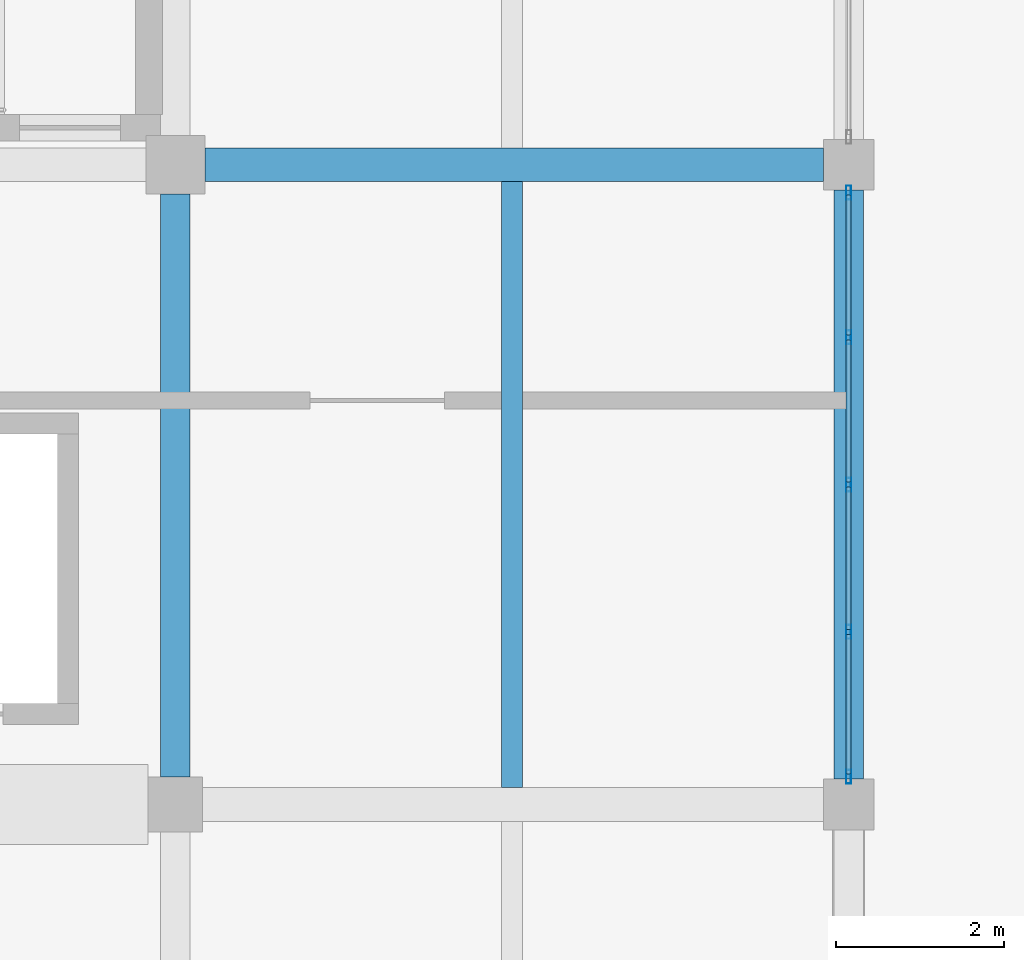
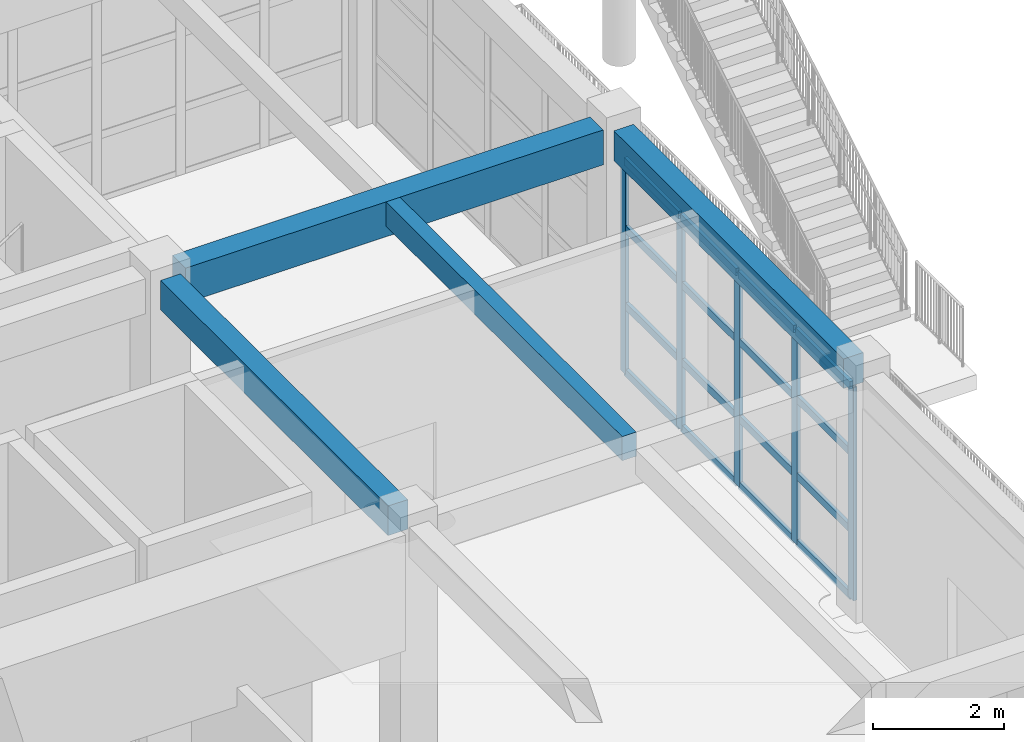
# One storey, part 25 of 50: 21 members, 4 beams, 1 element without a shape of its own.
"""IFC4 building model written with IfcOpenShell, lengths in metres."""

from ifc_helpers import new_model, si_unit, direction, frame, origin, origin_2d, place, context, subcontext, project, spatial, rectangle, hollow_rectangle, extrude, material, material_profile, profile_set, type_object, element, aggregate, save


model = new_model("IFC4")

# Units and contexts
model_context = context("Model", 3, precision=1e-05, world=origin(), true_north=direction((0.0, 1.0)))
body_context = subcontext(model_context, "Body", "Model", "MODEL_VIEW")
ifc_project = project(units=[si_unit("LENGTHUNIT", "METRE"), si_unit("AREAUNIT", "SQUARE_METRE"), si_unit("VOLUMEUNIT", "CUBIC_METRE"), si_unit("PLANEANGLEUNIT", "RADIAN"), si_unit("MASSUNIT", "GRAM", prefix="KILO")], contexts=[model_context])

# Site, building, storey
site_placement = place(None, origin())
site = spatial("IfcSite", under=ifc_project, at=site_placement, CompositionType="ELEMENT")
building_placement = place(site_placement, origin())
building = spatial("IfcBuilding", under=site, at=building_placement, Name="Zantavel Square City Hall", CompositionType="ELEMENT")
storey_placement = place(building_placement, frame((0.0, 0.0, 18.89990234375)))
storey = spatial("IfcBuildingStorey", under=building, at=storey_placement, Name="L05", CompositionType="ELEMENT", Elevation=18.89990234375)

# Curtain wall, members
ifc_material_1 = material(Name="Anodised aluminium 6063-T6", Category="aluminium")
curtain_wall_type = type_object("IfcCurtainWallType", Name="Curtain Wall TRV1 7000x3970", PredefinedType="USERDEFINED", material=ifc_material_1)
curtain_wall_placement = place(storey_placement, origin())
curtain_wall = element("IfcCurtainWall", 1, at=curtain_wall_placement, inside=storey, type_object=curtain_wall_type, Name="L05 Glazed Curtain Wall CW-L05-130", ObjectType="GLAZED CURTAIN WALL", PredefinedType="USERDEFINED")
ifc_material_profile_1 = material_profile(ifc_material_1, hollow_rectangle(XDim=0.06005859375, YDim=0.1650390625, WallThickness=0.00390625, at=origin_2d()), Name="ALU 60x165x4")
ifc_profile_set_1 = profile_set([ifc_material_profile_1], Name="Anodised aluminium 6063-T6")
member_type_1 = type_object("IfcMemberType", Name="CW Council Gallery Mullion ALU 60x165x4", PredefinedType="MULLION", material=ifc_profile_set_1)
member_1_placement = place(storey_placement, frame((112.0, 60.469970703125, 0.0), z_axis=(0.0, 0.0, 1.0), x_axis=(1.0, 0.0, 0.0)))
member_1 = element("IfcMember", 2, at=member_1_placement, type_object=member_type_1, Name="CW-130 mullion 1", PredefinedType="MULLION", context=body_context, shape_type="SweptSolid", body=[
    extrude(hollow_rectangle(XDim=0.06005859375, YDim=0.1650390625, WallThickness=0.00390625, at=origin_2d()), origin(), (0.0, 0.0, 1.0), 3.97021484375),
])
member_2_placement = place(storey_placement, frame((112.0, 58.75, 0.0), z_axis=(0.0, 0.0, 1.0), x_axis=(1.0, 0.0, 0.0)))
member_2 = element("IfcMember", 3, at=member_2_placement, type_object=member_type_1, Name="CW-130 mullion 2", PredefinedType="MULLION", context=body_context, shape_type="SweptSolid", body=[
    extrude(hollow_rectangle(XDim=0.06005859375, YDim=0.1650390625, WallThickness=0.00390625, at=origin_2d()), origin(), (0.0, 0.0, 1.0), 3.97021484375),
])
member_3_placement = place(storey_placement, frame((112.0, 57.0, 0.0), z_axis=(0.0, 0.0, 1.0), x_axis=(1.0, 0.0, 0.0)))
member_3 = element("IfcMember", 4, at=member_3_placement, type_object=member_type_1, Name="CW-130 mullion 3", PredefinedType="MULLION", context=body_context, shape_type="SweptSolid", body=[
    extrude(hollow_rectangle(XDim=0.06005859375, YDim=0.1650390625, WallThickness=0.00390625, at=origin_2d()), origin(), (0.0, 0.0, 1.0), 3.97021484375),
])
member_4_placement = place(storey_placement, frame((112.0, 55.25, 0.0), z_axis=(0.0, 0.0, 1.0), x_axis=(1.0, 0.0, 0.0)))
member_4 = element("IfcMember", 5, at=member_4_placement, type_object=member_type_1, Name="CW-130 mullion 4", PredefinedType="MULLION", context=body_context, shape_type="SweptSolid", body=[
    extrude(hollow_rectangle(XDim=0.06005859375, YDim=0.1650390625, WallThickness=0.00390625, at=origin_2d()), origin(), (0.0, 0.0, 1.0), 3.97021484375),
])
member_5_placement = place(storey_placement, frame((112.0, 53.530029296875, 0.0), z_axis=(0.0, 0.0, 1.0), x_axis=(1.0, 0.0, 0.0)))
member_5 = element("IfcMember", 6, at=member_5_placement, type_object=member_type_1, Name="CW-130 mullion 5", PredefinedType="MULLION", context=body_context, shape_type="SweptSolid", body=[
    extrude(hollow_rectangle(XDim=0.06005859375, YDim=0.1650390625, WallThickness=0.00390625, at=origin_2d()), origin(), (0.0, 0.0, 1.0), 3.97021484375),
])
ifc_material_profile_2 = material_profile(ifc_material_1, hollow_rectangle(XDim=0.06005859375, YDim=0.139892578125, WallThickness=0.00390625, at=origin_2d()), Name="ALU 60x140x4")
ifc_profile_set_2 = profile_set([ifc_material_profile_2], Name="Anodised aluminium 6063-T6")
member_type_2 = type_object("IfcMemberType", Name="CW Transom ALU 60x140x4", PredefinedType="USERDEFINED", material=ifc_profile_set_2)
member_6_placement = place(storey_placement, frame((112.0, 60.43994140625, 0.030029296875), z_axis=(0.0, -1.0, 0.0), x_axis=(1.0, 0.0, 0.0)))
member_6 = element("IfcMember", 7, at=member_6_placement, type_object=member_type_2, Name="CW-130 transom 1.1", ObjectType="TRANSOM", PredefinedType="USERDEFINED", context=body_context, shape_type="SweptSolid", body=[
    extrude(hollow_rectangle(XDim=0.06005859375, YDim=0.139892578125, WallThickness=0.00390625, at=origin_2d()), origin(), (0.0, 0.0, 1.0), 1.659912109375),
])
member_7_placement = place(storey_placement, frame((112.0, 60.43994140625, 1.27001953125), z_axis=(0.0, -1.0, 0.0), x_axis=(1.0, 0.0, 0.0)))
member_7 = element("IfcMember", 8, at=member_7_placement, type_object=member_type_2, Name="CW-130 transom 1.2", ObjectType="TRANSOM", PredefinedType="USERDEFINED", context=body_context, shape_type="SweptSolid", body=[
    extrude(hollow_rectangle(XDim=0.06005859375, YDim=0.139892578125, WallThickness=0.00390625, at=origin_2d()), origin(), (0.0, 0.0, 1.0), 1.659912109375),
])
member_8_placement = place(storey_placement, frame((112.0, 60.43994140625, 2.7001953125), z_axis=(0.0, -1.0, 0.0), x_axis=(1.0, 0.0, 0.0)))
member_8 = element("IfcMember", 9, at=member_8_placement, type_object=member_type_2, Name="CW-130 transom 1.3", ObjectType="TRANSOM", PredefinedType="USERDEFINED", context=body_context, shape_type="SweptSolid", body=[
    extrude(hollow_rectangle(XDim=0.06005859375, YDim=0.139892578125, WallThickness=0.00390625, at=origin_2d()), origin(), (0.0, 0.0, 1.0), 1.659912109375),
])
member_9_placement = place(storey_placement, frame((112.0, 60.43994140625, 3.940185546875), z_axis=(0.0, -1.0, 0.0), x_axis=(1.0, 0.0, 0.0)))
member_9 = element("IfcMember", 10, at=member_9_placement, type_object=member_type_2, Name="CW-130 transom 1.4", ObjectType="TRANSOM", PredefinedType="USERDEFINED", context=body_context, shape_type="SweptSolid", body=[
    extrude(hollow_rectangle(XDim=0.06005859375, YDim=0.139892578125, WallThickness=0.00390625, at=origin_2d()), origin(), (0.0, 0.0, 1.0), 1.659912109375),
])
member_10_placement = place(storey_placement, frame((112.0, 58.719970703125, 0.030029296875), z_axis=(0.0, -1.0, 0.0), x_axis=(1.0, 0.0, 0.0)))
member_10 = element("IfcMember", 11, at=member_10_placement, type_object=member_type_2, Name="CW-130 transom 2.1", ObjectType="TRANSOM", PredefinedType="USERDEFINED", context=body_context, shape_type="SweptSolid", body=[
    extrude(hollow_rectangle(XDim=0.06005859375, YDim=0.139892578125, WallThickness=0.00390625, at=origin_2d()), origin(), (0.0, 0.0, 1.0), 1.68994140625),
])
member_11_placement = place(storey_placement, frame((112.0, 58.719970703125, 1.27001953125), z_axis=(0.0, -1.0, 0.0), x_axis=(1.0, 0.0, 0.0)))
member_11 = element("IfcMember", 12, at=member_11_placement, type_object=member_type_2, Name="CW-130 transom 2.2", ObjectType="TRANSOM", PredefinedType="USERDEFINED", context=body_context, shape_type="SweptSolid", body=[
    extrude(hollow_rectangle(XDim=0.06005859375, YDim=0.139892578125, WallThickness=0.00390625, at=origin_2d()), origin(), (0.0, 0.0, 1.0), 1.68994140625),
])
member_12_placement = place(storey_placement, frame((112.0, 58.719970703125, 2.7001953125), z_axis=(0.0, -1.0, 0.0), x_axis=(1.0, 0.0, 0.0)))
member_12 = element("IfcMember", 13, at=member_12_placement, type_object=member_type_2, Name="CW-130 transom 2.3", ObjectType="TRANSOM", PredefinedType="USERDEFINED", context=body_context, shape_type="SweptSolid", body=[
    extrude(hollow_rectangle(XDim=0.06005859375, YDim=0.139892578125, WallThickness=0.00390625, at=origin_2d()), origin(), (0.0, 0.0, 1.0), 1.68994140625),
])
member_13_placement = place(storey_placement, frame((112.0, 58.719970703125, 3.940185546875), z_axis=(0.0, -1.0, 0.0), x_axis=(1.0, 0.0, 0.0)))
member_13 = element("IfcMember", 14, at=member_13_placement, type_object=member_type_2, Name="CW-130 transom 2.4", ObjectType="TRANSOM", PredefinedType="USERDEFINED", context=body_context, shape_type="SweptSolid", body=[
    extrude(hollow_rectangle(XDim=0.06005859375, YDim=0.139892578125, WallThickness=0.00390625, at=origin_2d()), origin(), (0.0, 0.0, 1.0), 1.68994140625),
])
member_14_placement = place(storey_placement, frame((112.0, 56.969970703125, 0.030029296875), z_axis=(0.0, -1.0, 0.0), x_axis=(1.0, 0.0, 0.0)))
member_14 = element("IfcMember", 15, at=member_14_placement, type_object=member_type_2, Name="CW-130 transom 3.1", ObjectType="TRANSOM", PredefinedType="USERDEFINED", context=body_context, shape_type="SweptSolid", body=[
    extrude(hollow_rectangle(XDim=0.06005859375, YDim=0.139892578125, WallThickness=0.00390625, at=origin_2d()), origin(), (0.0, 0.0, 1.0), 1.68994140625),
])
member_15_placement = place(storey_placement, frame((112.0, 56.969970703125, 1.27001953125), z_axis=(0.0, -1.0, 0.0), x_axis=(1.0, 0.0, 0.0)))
member_15 = element("IfcMember", 16, at=member_15_placement, type_object=member_type_2, Name="CW-130 transom 3.2", ObjectType="TRANSOM", PredefinedType="USERDEFINED", context=body_context, shape_type="SweptSolid", body=[
    extrude(hollow_rectangle(XDim=0.06005859375, YDim=0.139892578125, WallThickness=0.00390625, at=origin_2d()), origin(), (0.0, 0.0, 1.0), 1.68994140625),
])
member_16_placement = place(storey_placement, frame((112.0, 56.969970703125, 2.7001953125), z_axis=(0.0, -1.0, 0.0), x_axis=(1.0, 0.0, 0.0)))
member_16 = element("IfcMember", 17, at=member_16_placement, type_object=member_type_2, Name="CW-130 transom 3.3", ObjectType="TRANSOM", PredefinedType="USERDEFINED", context=body_context, shape_type="SweptSolid", body=[
    extrude(hollow_rectangle(XDim=0.06005859375, YDim=0.139892578125, WallThickness=0.00390625, at=origin_2d()), origin(), (0.0, 0.0, 1.0), 1.68994140625),
])
member_17_placement = place(storey_placement, frame((112.0, 56.969970703125, 3.940185546875), z_axis=(0.0, -1.0, 0.0), x_axis=(1.0, 0.0, 0.0)))
member_17 = element("IfcMember", 18, at=member_17_placement, type_object=member_type_2, Name="CW-130 transom 3.4", ObjectType="TRANSOM", PredefinedType="USERDEFINED", context=body_context, shape_type="SweptSolid", body=[
    extrude(hollow_rectangle(XDim=0.06005859375, YDim=0.139892578125, WallThickness=0.00390625, at=origin_2d()), origin(), (0.0, 0.0, 1.0), 1.68994140625),
])
member_18_placement = place(storey_placement, frame((112.0, 55.219970703125, 0.030029296875), z_axis=(0.0, -1.0, 0.0), x_axis=(1.0, 0.0, 0.0)))
member_18 = element("IfcMember", 19, at=member_18_placement, type_object=member_type_2, Name="CW-130 transom 4.1", ObjectType="TRANSOM", PredefinedType="USERDEFINED", context=body_context, shape_type="SweptSolid", body=[
    extrude(hollow_rectangle(XDim=0.06005859375, YDim=0.139892578125, WallThickness=0.00390625, at=origin_2d()), origin(), (0.0, 0.0, 1.0), 1.659912109375),
])
member_19_placement = place(storey_placement, frame((112.0, 55.219970703125, 1.27001953125), z_axis=(0.0, -1.0, 0.0), x_axis=(1.0, 0.0, 0.0)))
member_19 = element("IfcMember", 20, at=member_19_placement, type_object=member_type_2, Name="CW-130 transom 4.2", ObjectType="TRANSOM", PredefinedType="USERDEFINED", context=body_context, shape_type="SweptSolid", body=[
    extrude(hollow_rectangle(XDim=0.06005859375, YDim=0.139892578125, WallThickness=0.00390625, at=origin_2d()), origin(), (0.0, 0.0, 1.0), 1.659912109375),
])
member_20_placement = place(storey_placement, frame((112.0, 55.219970703125, 2.7001953125), z_axis=(0.0, -1.0, 0.0), x_axis=(1.0, 0.0, 0.0)))
member_20 = element("IfcMember", 21, at=member_20_placement, type_object=member_type_2, Name="CW-130 transom 4.3", ObjectType="TRANSOM", PredefinedType="USERDEFINED", context=body_context, shape_type="SweptSolid", body=[
    extrude(hollow_rectangle(XDim=0.06005859375, YDim=0.139892578125, WallThickness=0.00390625, at=origin_2d()), origin(), (0.0, 0.0, 1.0), 1.659912109375),
])
member_21_placement = place(storey_placement, frame((112.0, 55.219970703125, 3.940185546875), z_axis=(0.0, -1.0, 0.0), x_axis=(1.0, 0.0, 0.0)))
member_21 = element("IfcMember", 22, at=member_21_placement, type_object=member_type_2, Name="CW-130 transom 4.4", ObjectType="TRANSOM", PredefinedType="USERDEFINED", context=body_context, shape_type="SweptSolid", body=[
    extrude(hollow_rectangle(XDim=0.06005859375, YDim=0.139892578125, WallThickness=0.00390625, at=origin_2d()), origin(), (0.0, 0.0, 1.0), 1.659912109375),
])
aggregate(curtain_wall, [member_1, member_2, member_3, member_4, member_5, member_6, member_7, member_8, member_9, member_10, member_11, member_12, member_13, member_14, member_15, member_16, member_17, member_18, member_19, member_20, member_21])

# Beams
ifc_material_2 = material(Name="Concrete C35/45", Category="concrete")
ifc_material_profile_3 = material_profile(ifc_material_2, rectangle(XDim=0.39990234375, YDim=0.64990234375, at=origin_2d()), Name="RC 400x650")
ifc_profile_set_3 = profile_set([ifc_material_profile_3], Name="Concrete C35/45")
beam_type_1 = type_object("IfcBeamType", Name="Frame Beam RC 400x650 C35/45", PredefinedType="BEAM", material=ifc_profile_set_3)
beam_1_placement = place(storey_placement, frame((104.35009765625, 60.800048828125, 4.195068359375), z_axis=(1.0, 0.0, 0.0), x_axis=(0.0, 1.0, 0.0)))
element("IfcBeam", 23, at=beam_1_placement, inside=storey, type_object=beam_type_1, Name="L05 Girder BMX-L05-1040-0608", PredefinedType="BEAM", context=body_context, shape_type="SweptSolid", body=[
    extrude(rectangle(XDim=0.39990234375, YDim=0.64990234375, at=origin_2d()), origin(), (0.0, 0.0, 1.0), 7.349853515625),
])
ifc_material_profile_4 = material_profile(ifc_material_2, rectangle(XDim=0.25, YDim=0.449951171875, at=origin_2d()), Name="RC 250x450")
ifc_profile_set_4 = profile_set([ifc_material_profile_4], Name="Concrete C35/45")
beam_type_2 = type_object("IfcBeamType", Name="Light Floor Joist RC 250x450 C35/45", PredefinedType="JOIST", material=ifc_profile_set_4)
beam_2_placement = place(storey_placement, frame((108.0, 53.39990234375, 4.295166015625), z_axis=(0.0, 1.0, 0.0), x_axis=(-1.0, 0.0, 0.0)))
element("IfcBeam", 24, at=beam_2_placement, inside=storey, type_object=beam_type_2, Name="L05 Floor Joist JST-L05-1080-0532", PredefinedType="JOIST", context=body_context, shape_type="SweptSolid", body=[
    extrude(rectangle(XDim=0.25, YDim=0.449951171875, at=origin_2d()), origin(), (0.0, 0.0, 1.0), 7.2001953125),
])
ifc_material_profile_5 = material_profile(ifc_material_2, rectangle(XDim=0.35009765625, YDim=0.550048828125, at=origin_2d()), Name="RC 350x550")
ifc_profile_set_5 = profile_set([ifc_material_profile_5], Name="Concrete C35/45")
beam_type_3 = type_object("IfcBeamType", Name="Secondary Beam RC 350x550 C35/45", PredefinedType="BEAM", material=ifc_profile_set_5)
beam_3_placement = place(storey_placement, frame((104.0, 53.52490234375, 4.295166015625), z_axis=(0.0, 1.0, 0.0), x_axis=(-1.0, 0.0, 0.0)))
element("IfcBeam", 25, at=beam_3_placement, inside=storey, type_object=beam_type_3, Name="L05 Beam BMY-L05-1040-0532", PredefinedType="BEAM", context=body_context, shape_type="SweptSolid", body=[
    extrude(rectangle(XDim=0.35009765625, YDim=0.550048828125, at=origin_2d()), origin(), (0.0, 0.0, 1.0), 6.925048828125),
])
beam_4_placement = place(storey_placement, frame((112.0, 53.5, 4.2451171875), z_axis=(0.0, 1.0, 0.0), x_axis=(-1.0, 0.0, 0.0)))
element("IfcBeam", 26, at=beam_4_placement, inside=storey, type_object=beam_type_3, Name="L05 Beam BMY-L05-1120-0532", PredefinedType="BEAM", context=body_context, shape_type="SweptSolid", body=[
    extrude(rectangle(XDim=0.35009765625, YDim=0.550048828125, at=origin_2d()), origin(), (0.0, 0.0, 1.0), 7.0),
])

save(model, "model.ifc")
